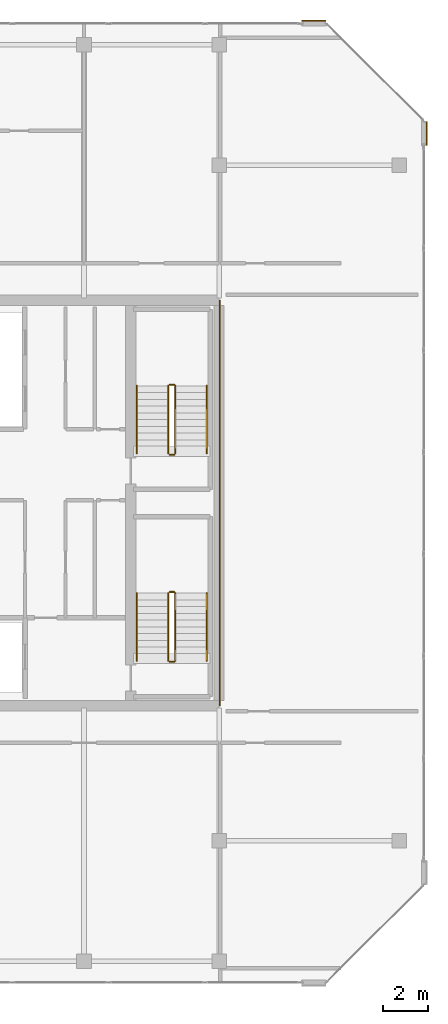
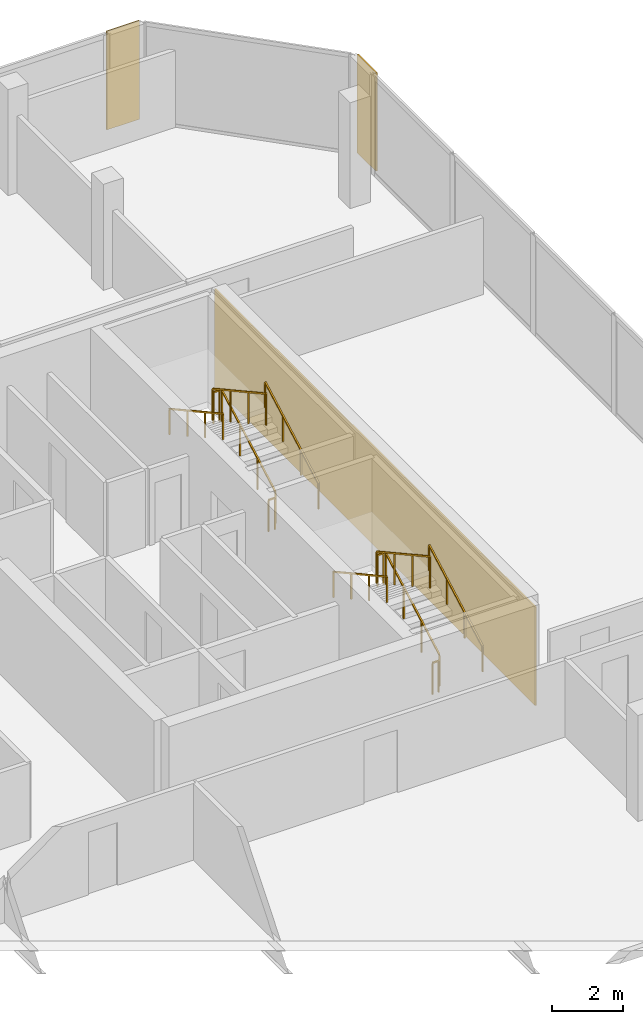
# One storey, part 28 of 28: 12 railings, 3 coverings.
"""IFC4 building model written with IfcOpenShell, lengths in metres."""

from ifc_helpers import new_model, si_unit, direction, frame, origin, origin_2d, place, context, subcontext, project, spatial, rectangle, extrude, material, layer, layer_set, type_object, element, save


model = new_model("IFC4")

# Units and contexts
model_context = context("Model", 3, precision=1e-05, world=origin(), true_north=direction((0.0, 1.0)))
body_context = subcontext(model_context, "Body", "Model", "MODEL_VIEW")
ifc_project = project(units=[si_unit("LENGTHUNIT", "METRE"), si_unit("AREAUNIT", "SQUARE_METRE"), si_unit("VOLUMEUNIT", "CUBIC_METRE"), si_unit("PLANEANGLEUNIT", "RADIAN"), si_unit("MASSUNIT", "GRAM", prefix="KILO")], contexts=[model_context])

# Site, building, storey
site_placement = place(None, origin())
site = spatial("IfcSite", under=ifc_project, at=site_placement, CompositionType="ELEMENT")
building_placement = place(site_placement, origin())
building = spatial("IfcBuilding", under=site, at=building_placement, Name="Tanjung Sevakor Pilgrim Tower", CompositionType="ELEMENT")
storey_placement = place(building_placement, frame((0.0, 0.0, 257.070068359375)))
storey = spatial("IfcBuildingStorey", under=building, at=storey_placement, Name="L72", CompositionType="ELEMENT", Elevation=257.070068359375)

# Coverings
ifc_material_1 = material(Name="Reconstructed Limestone Cladding", Category="masonry")
ifc_layer = layer(ifc_material_1, 0.044921875)
ifc_layer_set = layer_set([ifc_layer], Name="COV-CLAD-LIMESTONE")
covering_type = type_object("IfcCoveringType", Name="COV-CLAD-LIMESTONE", PredefinedType="CLADDING", material=ifc_layer_set)
for number, where, z_axis, x_axis, name in (
    (1, (99.222412109375, 50.00439453125, 0.019775390625), (0.0, 0.0, 1.0), (0.0, 1.0, 0.0), "L72 Warm Limestone Wall Cladding EW-CRN2-L72-EAST-2-1"),
    (2, (94.204345703125, 55.0224609375, 0.019775390625), (0.0, 0.0, 1.0), (-1.0, 0.0, 0.0), "L72 Warm Limestone Wall Cladding EW-CRN1-L72-EAST-4-1"),
):
    element("IfcCovering", number, at=place(storey_placement, frame(where, z_axis=z_axis, x_axis=x_axis)), inside=storey, type_object=covering_type, Name=name, PredefinedType="CLADDING", context=body_context, shape_type="SweptSolid", body=[
        extrude(rectangle(XDim=1.06005859375, YDim=0.044921875, at=origin_2d()), origin(), (0.0, 0.0, 1.0), 3.3701171875),
    ])
covering_placement = place(storey_placement, frame((90.0224609375, 33.60009765625, 0.019775390625), z_axis=(0.0, 0.0, 1.0), x_axis=(1.0, 0.0, 0.0)))
element("IfcCovering", 3, at=covering_placement, inside=storey, type_object=covering_type, Name="L72 Expressed Core Warm Limestone Cladding E", PredefinedType="CLADDING", context=body_context, shape_type="SweptSolid", body=[
    extrude(rectangle(XDim=0.044921875, YDim=18.0, at=origin_2d()), origin(), (0.0, 0.0, 1.0), 3.3701171875),
])

# Railings
ifc_material_2 = material(Name="Steel S355J2", Category="steel")
railing_type_1 = type_object("IfcRailingType", Name="RL-STAIR-GUARD", PredefinedType="GUARDRAIL", material=ifc_material_2)
railing_1_placement = place(storey_placement, frame((88.050048828125, 26.60009765625, 0.1650390625)))
element("IfcRailing", 4, at=railing_1_placement, inside=storey, type_object=railing_type_1, Name="L72 TS-E1 stair guard 1", PredefinedType="GUARDRAIL", context=body_context, shape_type="SweptSolid", body=[
    extrude(rectangle(XDim=0.0479, YDim=0.0479), frame((0.0, 0.0, 1.076171875), z_axis=(0.0, 0.876227952683, 0.48189685093), x_axis=(-1.0, 0.0, 0.0)), (0.0, 0.0, 1.0), 3.423828125),
    extrude(rectangle(XDim=0.042, YDim=0.042), origin(), (0.0, 0.0, 1.0), 1.052001953125),
    extrude(rectangle(XDim=0.042, YDim=0.042), frame((0.0, 1.0, 0.550048828125)), (0.0, 0.0, 1.0), 1.052001953125),
    extrude(rectangle(XDim=0.042, YDim=0.042), frame((0.0, 2.0, 1.099853515625)), (0.0, 0.0, 1.0), 1.052001953125),
    extrude(rectangle(XDim=0.042, YDim=0.042), frame((0.0, 3.0, 1.64990234375)), (0.0, 0.0, 1.0), 1.052001953125),
])
railing_2_placement = place(storey_placement, frame((88.0, 29.64990234375, 1.81494140625)))
element("IfcRailing", 5, at=railing_2_placement, inside=storey, type_object=railing_type_1, Name="L72 TS-E1 stair guard 2", PredefinedType="GUARDRAIL", context=body_context, shape_type="SweptSolid", body=[
    extrude(rectangle(XDim=0.0479, YDim=0.0479), frame((0.0, 0.0, 1.076171875), z_axis=(-1.0, 0.0, 0.0), x_axis=(0.0, -1.0, 0.0)), (0.0, 0.0, 1.0), 0.199951171875),
    extrude(rectangle(XDim=0.042, YDim=0.042), origin(), (0.0, 0.0, 1.0), 1.052001953125),
    extrude(rectangle(XDim=0.042, YDim=0.042), frame((-0.199951171875, 0.0, 0.0)), (0.0, 0.0, 1.0), 1.052001953125),
])
railing_3_placement = place(storey_placement, frame((87.75, 29.60009765625, 1.97998046875)))
element("IfcRailing", 6, at=railing_3_placement, inside=storey, type_object=railing_type_1, Name="L72 TS-E1 stair guard 3", PredefinedType="GUARDRAIL", context=body_context, shape_type="SweptSolid", body=[
    extrude(rectangle(XDim=0.0479, YDim=0.0479), frame((0.0, 0.0, 1.076171875), z_axis=(0.0, -0.876227952683, 0.48189685093), x_axis=(1.0, 0.0, 0.0)), (0.0, 0.0, 1.0), 3.423828125),
    extrude(rectangle(XDim=0.042, YDim=0.042), origin(), (0.0, 0.0, 1.0), 1.052001953125),
    extrude(rectangle(XDim=0.042, YDim=0.042), frame((0.0, -1.0, 0.550048828125)), (0.0, 0.0, 1.0), 1.052001953125),
    extrude(rectangle(XDim=0.042, YDim=0.042), frame((0.0, -2.0, 1.099853515625)), (0.0, 0.0, 1.0), 1.052001953125),
    extrude(rectangle(XDim=0.042, YDim=0.042), frame((0.0, -3.0, 1.64990234375)), (0.0, 0.0, 1.0), 1.052001953125),
])
railing_4_placement = place(storey_placement, frame((88.0, 26.550048828125, 0.0)))
element("IfcRailing", 7, at=railing_4_placement, inside=storey, type_object=railing_type_1, Name="L72 TS-E1 stair guard 4", PredefinedType="GUARDRAIL", context=body_context, shape_type="SweptSolid", body=[
    extrude(rectangle(XDim=0.0479, YDim=0.0479), frame((0.0, 0.0, 1.076171875), z_axis=(-1.0, 0.0, 0.0), x_axis=(0.0, -1.0, 0.0)), (0.0, 0.0, 1.0), 0.199951171875),
    extrude(rectangle(XDim=0.042, YDim=0.042), origin(), (0.0, 0.0, 1.0), 1.052001953125),
    extrude(rectangle(XDim=0.042, YDim=0.042), frame((-0.199951171875, 0.0, 0.0)), (0.0, 0.0, 1.0), 1.052001953125),
])
railing_5_placement = place(storey_placement, frame((88.050048828125, 35.800048828125, 0.1650390625)))
element("IfcRailing", 8, at=railing_5_placement, inside=storey, type_object=railing_type_1, Name="L72 TS-E2 stair guard 1", PredefinedType="GUARDRAIL", context=body_context, shape_type="SweptSolid", body=[
    extrude(rectangle(XDim=0.0479, YDim=0.0479), frame((0.0, 0.0, 1.076171875), z_axis=(0.0, 0.876227952683, 0.48189685093), x_axis=(-1.0, 0.0, 0.0)), (0.0, 0.0, 1.0), 3.423828125),
    extrude(rectangle(XDim=0.042, YDim=0.042), origin(), (0.0, 0.0, 1.0), 1.052001953125),
    extrude(rectangle(XDim=0.042, YDim=0.042), frame((0.0, 1.0, 0.550048828125)), (0.0, 0.0, 1.0), 1.052001953125),
    extrude(rectangle(XDim=0.042, YDim=0.042), frame((0.0, 2.0, 1.099853515625)), (0.0, 0.0, 1.0), 1.052001953125),
    extrude(rectangle(XDim=0.042, YDim=0.042), frame((0.0, 3.0, 1.64990234375)), (0.0, 0.0, 1.0), 1.052001953125),
])
railing_6_placement = place(storey_placement, frame((88.0, 38.85009765625, 1.81494140625)))
element("IfcRailing", 9, at=railing_6_placement, inside=storey, type_object=railing_type_1, Name="L72 TS-E2 stair guard 2", PredefinedType="GUARDRAIL", context=body_context, shape_type="SweptSolid", body=[
    extrude(rectangle(XDim=0.0479, YDim=0.0479), frame((0.0, 0.0, 1.076171875), z_axis=(-1.0, 0.0, 0.0), x_axis=(0.0, -1.0, 0.0)), (0.0, 0.0, 1.0), 0.199951171875),
    extrude(rectangle(XDim=0.042, YDim=0.042), origin(), (0.0, 0.0, 1.0), 1.052001953125),
    extrude(rectangle(XDim=0.042, YDim=0.042), frame((-0.199951171875, 0.0, 0.0)), (0.0, 0.0, 1.0), 1.052001953125),
])
railing_7_placement = place(storey_placement, frame((87.75, 38.800048828125, 1.97998046875)))
element("IfcRailing", 10, at=railing_7_placement, inside=storey, type_object=railing_type_1, Name="L72 TS-E2 stair guard 3", PredefinedType="GUARDRAIL", context=body_context, shape_type="SweptSolid", body=[
    extrude(rectangle(XDim=0.0479, YDim=0.0479), frame((0.0, 0.0, 1.076171875), z_axis=(0.0, -0.876227952683, 0.48189685093), x_axis=(1.0, 0.0, 0.0)), (0.0, 0.0, 1.0), 3.423828125),
    extrude(rectangle(XDim=0.042, YDim=0.042), origin(), (0.0, 0.0, 1.0), 1.052001953125),
    extrude(rectangle(XDim=0.042, YDim=0.042), frame((0.0, -1.0, 0.550048828125)), (0.0, 0.0, 1.0), 1.052001953125),
    extrude(rectangle(XDim=0.042, YDim=0.042), frame((0.0, -2.0, 1.099853515625)), (0.0, 0.0, 1.0), 1.052001953125),
    extrude(rectangle(XDim=0.042, YDim=0.042), frame((0.0, -3.0, 1.64990234375)), (0.0, 0.0, 1.0), 1.052001953125),
])
railing_8_placement = place(storey_placement, frame((88.0, 35.75, 0.0)))
element("IfcRailing", 11, at=railing_8_placement, inside=storey, type_object=railing_type_1, Name="L72 TS-E2 stair guard 4", PredefinedType="GUARDRAIL", context=body_context, shape_type="SweptSolid", body=[
    extrude(rectangle(XDim=0.0479, YDim=0.0479), frame((0.0, 0.0, 1.076171875), z_axis=(-1.0, 0.0, 0.0), x_axis=(0.0, -1.0, 0.0)), (0.0, 0.0, 1.0), 0.199951171875),
    extrude(rectangle(XDim=0.042, YDim=0.042), origin(), (0.0, 0.0, 1.0), 1.052001953125),
    extrude(rectangle(XDim=0.042, YDim=0.042), frame((-0.199951171875, 0.0, 0.0)), (0.0, 0.0, 1.0), 1.052001953125),
])
ifc_material_3 = material(Name="Steel S355J2", Category="steel")
railing_type_2 = type_object("IfcRailingType", Name="RL-STAIR-HAND", PredefinedType="HANDRAIL", material=ifc_material_3)
railing_9_placement = place(storey_placement, frame((89.449951171875, 26.60009765625, 0.1650390625)))
element("IfcRailing", 12, at=railing_9_placement, inside=storey, type_object=railing_type_2, Name="L72 TS-E1 stair handrail 1", PredefinedType="HANDRAIL", context=body_context, shape_type="SweptSolid", body=[
    extrude(rectangle(XDim=0.0479, YDim=0.0479), frame((0.0, 0.0, 0.8759765625), z_axis=(0.0, 0.876227952683, 0.48189685093), x_axis=(-1.0, 0.0, 0.0)), (0.0, 0.0, 1.0), 3.423828125),
    extrude(rectangle(XDim=0.042, YDim=0.042), origin(), (0.0, 0.0, 1.0), 0.851806640625),
    extrude(rectangle(XDim=0.042, YDim=0.042), frame((0.0, 1.0, 0.550048828125)), (0.0, 0.0, 1.0), 0.851806640625),
    extrude(rectangle(XDim=0.042, YDim=0.042), frame((0.0, 2.0, 1.099853515625)), (0.0, 0.0, 1.0), 0.851806640625),
    extrude(rectangle(XDim=0.042, YDim=0.042), frame((0.0, 3.0, 1.64990234375)), (0.0, 0.0, 1.0), 0.851806640625),
])
railing_10_placement = place(storey_placement, frame((86.35009765625, 29.60009765625, 1.97998046875)))
element("IfcRailing", 13, at=railing_10_placement, inside=storey, type_object=railing_type_2, Name="L72 TS-E1 stair handrail 2", PredefinedType="HANDRAIL", context=body_context, shape_type="SweptSolid", body=[
    extrude(rectangle(XDim=0.0479, YDim=0.0479), frame((0.0, 0.0, 0.8759765625), z_axis=(0.0, -0.876227952683, 0.48189685093), x_axis=(1.0, 0.0, 0.0)), (0.0, 0.0, 1.0), 3.423828125),
    extrude(rectangle(XDim=0.042, YDim=0.042), origin(), (0.0, 0.0, 1.0), 0.851806640625),
    extrude(rectangle(XDim=0.042, YDim=0.042), frame((0.0, -1.0, 0.550048828125)), (0.0, 0.0, 1.0), 0.851806640625),
    extrude(rectangle(XDim=0.042, YDim=0.042), frame((0.0, -2.0, 1.099853515625)), (0.0, 0.0, 1.0), 0.851806640625),
    extrude(rectangle(XDim=0.042, YDim=0.042), frame((0.0, -3.0, 1.64990234375)), (0.0, 0.0, 1.0), 0.851806640625),
])
railing_11_placement = place(storey_placement, frame((89.449951171875, 35.800048828125, 0.1650390625)))
element("IfcRailing", 14, at=railing_11_placement, inside=storey, type_object=railing_type_2, Name="L72 TS-E2 stair handrail 1", PredefinedType="HANDRAIL", context=body_context, shape_type="SweptSolid", body=[
    extrude(rectangle(XDim=0.0479, YDim=0.0479), frame((0.0, 0.0, 0.8759765625), z_axis=(0.0, 0.876227952683, 0.48189685093), x_axis=(-1.0, 0.0, 0.0)), (0.0, 0.0, 1.0), 3.423828125),
    extrude(rectangle(XDim=0.042, YDim=0.042), origin(), (0.0, 0.0, 1.0), 0.851806640625),
    extrude(rectangle(XDim=0.042, YDim=0.042), frame((0.0, 1.0, 0.550048828125)), (0.0, 0.0, 1.0), 0.851806640625),
    extrude(rectangle(XDim=0.042, YDim=0.042), frame((0.0, 2.0, 1.099853515625)), (0.0, 0.0, 1.0), 0.851806640625),
    extrude(rectangle(XDim=0.042, YDim=0.042), frame((0.0, 3.0, 1.64990234375)), (0.0, 0.0, 1.0), 0.851806640625),
])
railing_12_placement = place(storey_placement, frame((86.35009765625, 38.800048828125, 1.97998046875)))
element("IfcRailing", 15, at=railing_12_placement, inside=storey, type_object=railing_type_2, Name="L72 TS-E2 stair handrail 2", PredefinedType="HANDRAIL", context=body_context, shape_type="SweptSolid", body=[
    extrude(rectangle(XDim=0.0479, YDim=0.0479), frame((0.0, 0.0, 0.8759765625), z_axis=(0.0, -0.876227952683, 0.48189685093), x_axis=(1.0, 0.0, 0.0)), (0.0, 0.0, 1.0), 3.423828125),
    extrude(rectangle(XDim=0.042, YDim=0.042), origin(), (0.0, 0.0, 1.0), 0.851806640625),
    extrude(rectangle(XDim=0.042, YDim=0.042), frame((0.0, -1.0, 0.550048828125)), (0.0, 0.0, 1.0), 0.851806640625),
    extrude(rectangle(XDim=0.042, YDim=0.042), frame((0.0, -2.0, 1.099853515625)), (0.0, 0.0, 1.0), 0.851806640625),
    extrude(rectangle(XDim=0.042, YDim=0.042), frame((0.0, -3.0, 1.64990234375)), (0.0, 0.0, 1.0), 0.851806640625),
])

save(model, "model.ifc")
